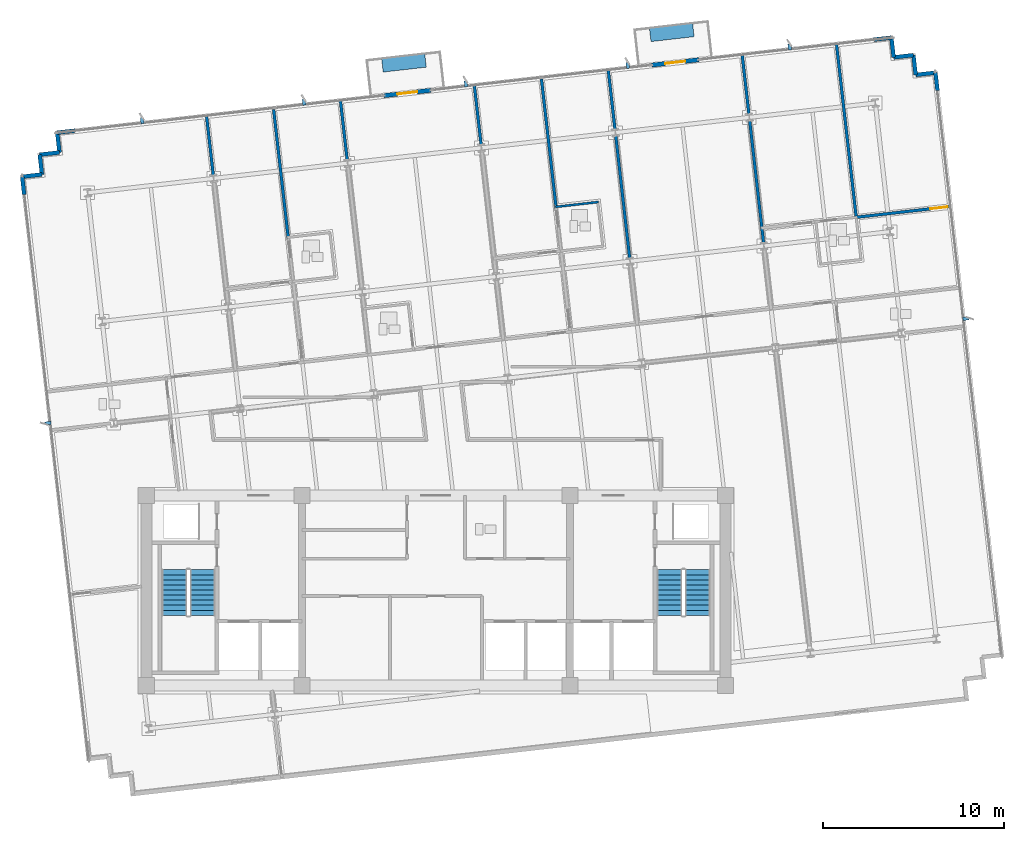
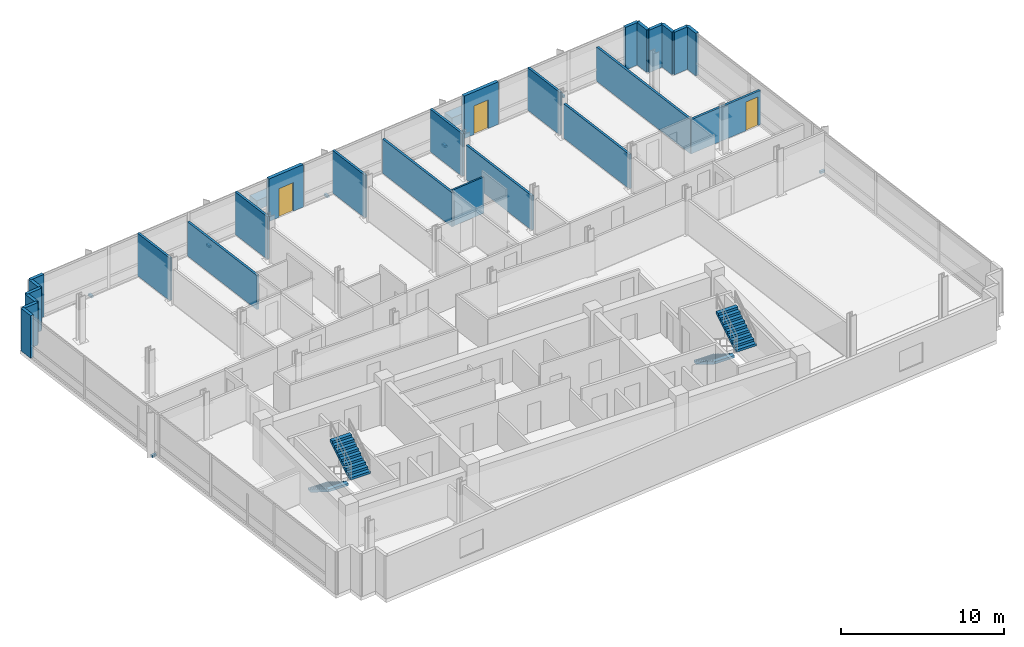
# One storey, part 11 of 16: 26 walls, 9 discrete accessories, 4 stair flights, 3 doors, 3 openings, 2 elements without a shape of their own.
"""IFC4 building model written with IfcOpenShell, lengths in metres."""

import ifcopenshell
import ifcopenshell.guid

model = None  # the IFC model being written
_history = None  # IfcOwnerHistory: only IFC2X3 demands one
_inside = {}  # id of a spatial element -> (the spatial element, [elements in it])
_under = {}  # id of a project, library or spatial element -> (it, [spatial elements below it])
_declared = {}  # id of a project -> (the project, [libraries it declares])
_typed = {}  # id of a type object -> (the type object, [elements of that type])
_made_of = {}  # id of a material, layer set ... -> (it, [elements and type objects made of it])


def new_model(schema):
    """Start an empty IFC model of exactly this schema.

    Asked for "IFC4X3", IfcOpenShell would pick the latest addendum, in which some entities
    have other attributes; the version numbers below select the first issue.
    IFC2X3 requires an IfcOwnerHistory on every rooted entity: one is made here for all.
    """
    global model, _history
    if schema == "IFC4X3":
        model = ifcopenshell.file(schema_version=(4, 3, 0, 0))
    else:
        model = ifcopenshell.file(schema=schema)
    _inside.clear()
    _under.clear()
    _declared.clear()
    _typed.clear()
    _made_of.clear()
    _history = None
    if model.schema == "IFC2X3":
        org = make("IfcOrganization", Name="unknown")
        user = make(
            "IfcPersonAndOrganization",
            ThePerson=make("IfcPerson", FamilyName="unknown"),
            TheOrganization=org,
        )
        app = make(
            "IfcApplication",
            ApplicationDeveloper=org,
            Version="unknown",
            ApplicationFullName="unknown",
            ApplicationIdentifier="unknown",
        )
        _history = make(
            "IfcOwnerHistory",
            OwningUser=user,
            OwningApplication=app,
            ChangeAction="ADDED",
            CreationDate=0,
        )
    return model


def make(cls, **values):
    """One entity of the class cls with the attributes given. An attribute that is None is left unset."""
    return model.create_entity(
        cls, **{name: value for name, value in values.items() if value is not None}
    )


def rooted(cls, **values):
    """An entity with a GlobalId (a new one), such as an element, a storey or a relation."""
    return make(cls, GlobalId=ifcopenshell.guid.new(), OwnerHistory=_history, **values)


def si_unit(unit_type, name, prefix=None):
    """IfcSIUnit, for example si_unit("LENGTHUNIT", "METRE", prefix="MILLI")."""
    return make("IfcSIUnit", UnitType=unit_type, Prefix=prefix, Name=name)


def assignment(units):
    """IfcUnitAssignment: the units of a project."""
    return None if units is None else make("IfcUnitAssignment", Units=units)


def point(xyz):
    """IfcCartesianPoint."""
    return None if xyz is None else make("IfcCartesianPoint", Coordinates=xyz)


def direction(xyz):
    """IfcDirection."""
    return None if xyz is None else make("IfcDirection", DirectionRatios=xyz)


def frame(location, z_axis=None, x_axis=None):
    """IfcAxis2Placement3D, a coordinate frame: its origin and axes. An axis left out is left unset."""
    return make(
        "IfcAxis2Placement3D",
        Location=point(location),
        Axis=direction(z_axis),
        RefDirection=direction(x_axis),
    )


def frame_2d(location, x_axis=None):
    """IfcAxis2Placement2D, a coordinate frame in the plane: its origin and x axis."""
    return make(
        "IfcAxis2Placement2D", Location=point(location), RefDirection=direction(x_axis)
    )


def origin():
    """The frame at (0, 0, 0) with its axes left unset."""
    return frame((0.0, 0.0, 0.0))


def origin_2d():
    """The frame at (0, 0) in the plane with its x axis left unset."""
    return frame_2d((0.0, 0.0))


def place(relative_to, where):
    """IfcLocalPlacement: puts the frame where relative to a parent placement (None: the world)."""
    return make(
        "IfcLocalPlacement", PlacementRelTo=relative_to, RelativePlacement=where
    )


def context(
    kind, dimensions, precision=None, world=None, true_north=None, identifier=None
):
    """IfcGeometricRepresentationContext, for example the 3D "Model" context."""
    return make(
        "IfcGeometricRepresentationContext",
        ContextIdentifier=identifier,
        ContextType=kind,
        CoordinateSpaceDimension=dimensions,
        Precision=precision,
        WorldCoordinateSystem=world,
        TrueNorth=true_north,
    )


def subcontext(parent, identifier, kind, view, scale=None):
    """IfcGeometricRepresentationSubContext, for example "Body" below "Model"."""
    return make(
        "IfcGeometricRepresentationSubContext",
        ContextIdentifier=identifier,
        ContextType=kind,
        ParentContext=parent,
        TargetScale=scale,
        TargetView=view,
    )


def project(units=None, contexts=None):
    """IfcProject with its units and contexts."""
    return rooted(
        "IfcProject",
        Name="project",
        RepresentationContexts=contexts,
        UnitsInContext=assignment(units),
    )


def spatial(cls, under=None, at=None, **own):
    """A site, building, storey or space (cls), placed at a placement, below another one or the project."""
    s = rooted(cls, ObjectPlacement=at, **own)
    if under is not None:
        _under.setdefault(under.id(), (under, []))[1].append(s)
    return s


def polyline(points):
    """IfcPolyline through the points."""
    return make("IfcPolyline", Points=[point(p) for p in points])


def profile(cls, at=None, kind="AREA", **sizes):
    """A parametric profile (cls). Its sizes go by their IFC names, for example OverallWidth=200.0."""
    return make(cls, ProfileType=kind, Position=at, **sizes)


def rectangle(**sizes):
    """IfcRectangleProfileDef."""
    return profile("IfcRectangleProfileDef", **sizes)


def outline(outer, holes=None, kind="AREA"):
    """IfcArbitraryClosedProfileDef: a profile drawn as a closed curve; with holes, ...WithVoids."""
    if holes is None:
        return make("IfcArbitraryClosedProfileDef", ProfileType=kind, OuterCurve=outer)
    return make(
        "IfcArbitraryProfileDefWithVoids",
        ProfileType=kind,
        OuterCurve=outer,
        InnerCurves=holes,
    )


def extrude(swept, where, along, depth):
    """IfcExtrudedAreaSolid: the profile swept, set in the frame where, extruded along a direction by depth."""
    return make(
        "IfcExtrudedAreaSolid",
        SweptArea=swept,
        Position=where,
        ExtrudedDirection=direction(along),
        Depth=depth,
    )


def shape(context_of_items, identifier, shape_type, items):
    """IfcShapeRepresentation: the items that make up one representation, for example the "Body"."""
    return make(
        "IfcShapeRepresentation",
        ContextOfItems=context_of_items,
        RepresentationIdentifier=identifier,
        RepresentationType=shape_type,
        Items=items,
    )


def material(Name=None, Category=None):
    """IfcMaterial."""
    return make("IfcMaterial", Name=Name, Category=Category)


def layer(
    of_material, thickness, ventilated=None, Name=None, Category=None, Priority=None
):
    """IfcMaterialLayer: one layer of a wall or slab, of a material (None: an air gap)."""
    return make(
        "IfcMaterialLayer",
        Material=of_material,
        LayerThickness=thickness,
        IsVentilated=ventilated,
        Name=Name,
        Category=Category,
        Priority=Priority,
    )


def layer_set(layers, Name=None):
    """IfcMaterialLayerSet."""
    return make("IfcMaterialLayerSet", MaterialLayers=layers, LayerSetName=Name)


def made_of(thing, what):
    """Note that an element or type object is made of a material, layer set ...; save() writes the relation."""
    if what is not None:
        _made_of.setdefault(what.id(), (what, []))[1].append(thing)
    return thing


def type_object(cls, material=None, **own):
    """A type object (cls), such as IfcWallType, which elements share."""
    return made_of(rooted(cls, **own), material)


def element(
    cls,
    number,
    at=None,
    inside=None,
    cuts=None,
    type_object=None,
    material=None,
    context=None,
    identifier="Body",
    shape_type=None,
    held_by="IfcProductDefinitionShape",
    body=None,
    shapes=None,
    **own,
):
    """One element of the class cls, such as IfcWall. Its Tag is "e" and its number.

    at: its placement. inside: the storey or other place that contains it. cuts: it is an
    opening in that element (IfcRelVoidsElement). A single representation is given by context,
    identifier, shape_type and body (its items); several are given by shapes. held_by: the class
    of the entity that holds the representations. save() writes the other relations.
    """
    e = rooted(cls, Tag="e%d" % number, ObjectPlacement=at, **own)
    if body is not None:
        shapes = [shape(context, identifier, shape_type, body)]
    if shapes is not None:
        e.Representation = make(held_by, Representations=shapes)
    if inside is not None:
        _inside.setdefault(inside.id(), (inside, []))[1].append(e)
    if cuts is not None:
        rooted(
            "IfcRelVoidsElement", RelatingBuildingElement=cuts, RelatedOpeningElement=e
        )
    if type_object is not None:
        _typed.setdefault(type_object.id(), (type_object, []))[1].append(e)
    return made_of(e, material)


def fill(opening, filler):
    """IfcRelFillsElement: the door or window that sits in an opening."""
    return rooted(
        "IfcRelFillsElement",
        RelatingOpeningElement=opening,
        RelatedBuildingElement=filler,
    )


def aggregate(whole, parts):
    """IfcRelAggregates: a whole, such as a stair, and the parts it consists of."""
    return rooted("IfcRelAggregates", RelatingObject=whole, RelatedObjects=parts)


def save(model, path):
    """Write the relations noted so far, then the file.

    IfcRelAggregates (storeys below a building ...), IfcRelContainedInSpatialStructure (elements
    in a storey), IfcRelDefinesByType, IfcRelAssociatesMaterial and IfcRelDeclares: one each for
    every whole, place, type object, material and project.
    """
    for whole, parts in _under.values():
        aggregate(whole, parts)
    for where, things in _inside.values():
        rooted(
            "IfcRelContainedInSpatialStructure",
            RelatedElements=things,
            RelatingStructure=where,
        )
    for kind, things in _typed.values():
        rooted("IfcRelDefinesByType", RelatedObjects=things, RelatingType=kind)
    for what, things in _made_of.values():
        rooted("IfcRelAssociatesMaterial", RelatedObjects=things, RelatingMaterial=what)
    for by, libraries in _declared.values():
        rooted("IfcRelDeclares", RelatingContext=by, RelatedDefinitions=libraries)
    model.write(path)


model = new_model("IFC4")

# Units and contexts
model_context = context("Model", 3, precision=1e-05, world=origin(), true_north=direction((0.0, 1.0)))
body_context = subcontext(model_context, "Body", "Model", "MODEL_VIEW")
ifc_project = project(units=[si_unit("LENGTHUNIT", "METRE"), si_unit("AREAUNIT", "SQUARE_METRE"), si_unit("VOLUMEUNIT", "CUBIC_METRE"), si_unit("PLANEANGLEUNIT", "RADIAN"), si_unit("MASSUNIT", "GRAM", prefix="KILO")], contexts=[model_context])

# Site, building, storey
site_placement = place(None, origin())
site = spatial("IfcSite", under=ifc_project, at=site_placement, CompositionType="ELEMENT")
building_placement = place(site_placement, origin())
building = spatial("IfcBuilding", under=site, at=building_placement, Name="Solmavex Isthmus Hotel", CompositionType="ELEMENT")
storey_placement = place(building_placement, frame((0.0, 0.0, 212.39990234375)))
storey = spatial("IfcBuildingStorey", under=building, at=storey_placement, Name="L57", CompositionType="ELEMENT", Elevation=212.39990234375)

# Wall, opening, door
ifc_material_1 = material(Name="Precast Concrete C40/50", Category="concrete")
ifc_layer_1 = layer(ifc_material_1, 0.25)
ifc_layer_set_1 = layer_set([ifc_layer_1], Name="Precast Concrete C40/50")
wall_type_1 = type_object("IfcWallType", Name="EW-TWR-250", PredefinedType="STANDARD", material=ifc_layer_set_1)
wall_1_placement = place(storey_placement, frame((-2.871337890625, 19.59326171875, 0.0), z_axis=(0.0, 0.0, 1.0), x_axis=(0.993577691497, 0.113151981689, 0.0)))
wall_1 = element("IfcWall", 1, at=wall_1_placement, inside=storey, type_object=wall_type_1, Name="Exterior Balcony Door Wall L57-2", PredefinedType="STANDARD", context=body_context, shape_type="SweptSolid", body=[
    extrude(rectangle(XDim=2.599853515625, YDim=0.239990234375, at=frame_2d((1.2998046875, 0.0))), origin(), (0.0, 0.0, 1.0), 3.190185546875),
])
opening_1_placement = place(wall_1_placement, frame((0.75, 0.0, 0.0)))
opening_1 = element("IfcOpeningElement", 2, at=opening_1_placement, cuts=wall_1, Name="Opening ED-02", PredefinedType="OPENING", context=body_context, shape_type="SweptSolid", body=[
    extrude(rectangle(XDim=1.10009765625, YDim=2.14990234375, at=frame_2d((0.550048828125, 1.074951171875))), frame((0.0, 0.1298828125, 0.0), z_axis=(0.0, -1.0, 0.0), x_axis=(1.0, 0.0, 0.0)), (0.0, 0.0, 1.0), 0.260009765625),
])
ifc_material_2 = material(Name="Aluminium alloy 6063-T6", Category="aluminium")
door_type_1 = type_object("IfcDoorType", Name="EDR-BALC-1100", OperationType="NOTDEFINED", PredefinedType="DOOR", material=ifc_material_2)
door_1_placement = place(opening_1_placement, origin())
door_1 = element("IfcDoor", 3, at=door_1_placement, inside=storey, type_object=door_type_1, Name="Balcony & Terrace Glazed Door L57-2", OperationType="SINGLE_SWING_RIGHT", OverallHeight=2.14990234375, OverallWidth=1.10009765625, PredefinedType="DOOR", context=body_context, shape_type="SweptSolid", body=[
    extrude(rectangle(XDim=1.10009765625, YDim=2.14990234375, at=frame_2d((0.550048828125, 1.074951171875))), frame((0.0, 0.02490234375, 0.0), z_axis=(0.0, -1.0, 0.0), x_axis=(1.0, 0.0, 0.0)), (0.0, 0.0, 1.0), 0.050048828125),
])
fill(opening_1, door_1)

wall_2_placement = place(storey_placement, frame((11.9248046875, 21.279052734375, 0.0), z_axis=(0.0, 0.0, 1.0), x_axis=(0.993567130319, 0.113244680008, 0.0)))
wall_2 = element("IfcWall", 4, at=wall_2_placement, inside=storey, type_object=wall_type_1, Name="Exterior Balcony Door Wall L57-3", PredefinedType="STANDARD", context=body_context, shape_type="SweptSolid", body=[
    extrude(rectangle(XDim=2.60009765625, YDim=0.239990234375, at=frame_2d((1.300048828125, 0.0))), origin(), (0.0, 0.0, 1.0), 3.190185546875),
])
opening_2_placement = place(wall_2_placement, frame((0.75, 0.0, 0.0)))
opening_2 = element("IfcOpeningElement", 5, at=opening_2_placement, cuts=wall_2, Name="Opening ED-02", PredefinedType="OPENING", context=body_context, shape_type="SweptSolid", body=[
    extrude(rectangle(XDim=1.10009765625, YDim=2.14990234375, at=frame_2d((0.550048828125, 1.074951171875))), frame((0.0, 0.1298828125, 0.0), z_axis=(0.0, -1.0, 0.0), x_axis=(1.0, 0.0, 0.0)), (0.0, 0.0, 1.0), 0.260009765625),
])
door_2_placement = place(opening_2_placement, origin())
door_2 = element("IfcDoor", 6, at=door_2_placement, inside=storey, type_object=door_type_1, Name="Balcony & Terrace Glazed Door L57-3", OperationType="SINGLE_SWING_LEFT", OverallHeight=2.14990234375, OverallWidth=1.10009765625, PredefinedType="DOOR", context=body_context, shape_type="SweptSolid", body=[
    extrude(rectangle(XDim=1.10009765625, YDim=2.14990234375, at=frame_2d((0.550048828125, 1.074951171875))), frame((0.0, 0.02490234375, 0.0), z_axis=(0.0, -1.0, 0.0), x_axis=(1.0, 0.0, 0.0)), (0.0, 0.0, 1.0), 0.050048828125),
])
fill(opening_2, door_2)

# Walls
wall_3_placement = place(storey_placement, frame((-22.74755859375, 14.128173828125, 0.0), z_axis=(0.0, 0.0, 1.0), x_axis=(-0.113191877531, 0.993573147212, 0.0)))
element("IfcWall", 7, at=wall_3_placement, inside=storey, type_object=wall_type_1, Name="Serrated Corner Facade Panel L57-07", PredefinedType="STANDARD", context=body_context, shape_type="SweptSolid", body=[
    extrude(rectangle(XDim=0.989990234375, YDim=0.219970703125, at=frame_2d((0.4951171875, 0.0))), origin(), (0.0, 0.0, 1.0), 3.190185546875),
])
wall_4_placement = place(storey_placement, frame((-22.859619140625, 15.11181640625, 0.0), z_axis=(0.0, 0.0, 1.0), x_axis=(0.99357409499, 0.113183557839, 0.0)))
element("IfcWall", 8, at=wall_4_placement, inside=storey, type_object=wall_type_1, Name="Serrated Corner Facade Panel L57-08", PredefinedType="STANDARD", context=body_context, shape_type="SweptSolid", body=[
    extrude(rectangle(XDim=1.10009765625, YDim=0.219970703125, at=frame_2d((0.550048828125, 0.0))), origin(), (0.0, 0.0, 1.0), 3.190185546875),
])
wall_5_placement = place(storey_placement, frame((-21.7666015625, 15.236328125, 0.0), z_axis=(0.0, 0.0, 1.0), x_axis=(-0.11320852056, 0.99357125103, 0.0)))
element("IfcWall", 9, at=wall_5_placement, inside=storey, type_object=wall_type_1, Name="Serrated Corner Facade Panel L57-09", PredefinedType="STANDARD", context=body_context, shape_type="SweptSolid", body=[
    extrude(rectangle(XDim=1.099853515625, YDim=0.219970703125, at=frame_2d((0.5498046875, 0.0))), origin(), (0.0, 0.0, 1.0), 3.190185546875),
])
for number, where, z_axis, x_axis, name in (
    (10, (-21.89111328125, 16.3291015625, 0.0), (0.0, 0.0, 1.0), (0.99357409499, 0.113183557839, 0.0), "Serrated Corner Facade Panel L57-10"),
    (11, (-20.798095703125, 16.45361328125, 0.0), (0.0, 0.0, 1.0), (-0.113402635104, 0.993549114212, 0.0), "Serrated Corner Facade Panel L57-11"),
):
    element("IfcWall", number, at=place(storey_placement, frame(where, z_axis=z_axis, x_axis=x_axis)), inside=storey, type_object=wall_type_1, Name=name, PredefinedType="STANDARD", context=body_context, shape_type="SweptSolid", body=[
        extrude(rectangle(XDim=1.10009765625, YDim=0.219970703125, at=frame_2d((0.550048828125, 0.0))), origin(), (0.0, 0.0, 1.0), 3.190185546875),
    ])
for number, where, z_axis, x_axis, name in (
    (12, (-20.9228515625, 17.546630859375, 0.0), (0.0, 0.0, 1.0), (0.993573147212, 0.113191877531, 0.0), "Serrated Corner Facade Panel L57-12"),
    (13, (24.175537109375, 22.684814453125, 0.0), (0.0, 0.0, 1.0), (0.993573147212, 0.113191877531, 0.0), "Serrated Corner Facade Panel L57-14"),
):
    element("IfcWall", number, at=place(storey_placement, frame(where, z_axis=z_axis, x_axis=x_axis)), inside=storey, type_object=wall_type_1, Name=name, PredefinedType="STANDARD", context=body_context, shape_type="SweptSolid", body=[
        extrude(rectangle(XDim=0.989990234375, YDim=0.219970703125, at=frame_2d((0.4951171875, 0.0))), origin(), (0.0, 0.0, 1.0), 3.190185546875),
    ])
for number, where, z_axis, x_axis, name in (
    (14, (25.1591796875, 22.796875, 0.0), (0.0, 0.0, 1.0), (0.11320852056, -0.99357125103, 0.0), "Serrated Corner Facade Panel L57-15"),
    (15, (25.28369140625, 21.7041015625, 0.0), (0.0, 0.0, 1.0), (0.99357125103, 0.11320852056, 0.0), "Serrated Corner Facade Panel L57-16"),
):
    element("IfcWall", number, at=place(storey_placement, frame(where, z_axis=z_axis, x_axis=x_axis)), inside=storey, type_object=wall_type_1, Name=name, PredefinedType="STANDARD", context=body_context, shape_type="SweptSolid", body=[
        extrude(rectangle(XDim=1.099853515625, YDim=0.219970703125, at=frame_2d((0.5498046875, 0.0))), origin(), (0.0, 0.0, 1.0), 3.190185546875),
    ])
wall_6_placement = place(storey_placement, frame((26.37646484375, 21.82861328125, 0.0), z_axis=(0.0, 0.0, 1.0), x_axis=(0.113402635104, -0.993549114212, 0.0)))
element("IfcWall", 16, at=wall_6_placement, inside=storey, type_object=wall_type_1, Name="Serrated Corner Facade Panel L57-17", PredefinedType="STANDARD", context=body_context, shape_type="SweptSolid", body=[
    extrude(rectangle(XDim=1.10009765625, YDim=0.219970703125, at=frame_2d((0.550048828125, 0.0))), origin(), (0.0, 0.0, 1.0), 3.190185546875),
])
wall_7_placement = place(storey_placement, frame((26.501220703125, 20.735595703125, 0.0), z_axis=(0.0, 0.0, 1.0), x_axis=(0.99357125103, 0.11320852056, 0.0)))
element("IfcWall", 17, at=wall_7_placement, inside=storey, type_object=wall_type_1, Name="Serrated Corner Facade Panel L57-18", PredefinedType="STANDARD", context=body_context, shape_type="SweptSolid", body=[
    extrude(rectangle(XDim=1.099853515625, YDim=0.219970703125, at=frame_2d((0.5498046875, 0.0))), origin(), (0.0, 0.0, 1.0), 3.190185546875),
])
wall_8_placement = place(storey_placement, frame((27.593994140625, 20.860107421875, 0.0), z_axis=(0.0, 0.0, 1.0), x_axis=(0.113191877531, -0.993573147212, 0.0)))
element("IfcWall", 18, at=wall_8_placement, inside=storey, type_object=wall_type_1, Name="Serrated Corner Facade Panel L57-19", PredefinedType="STANDARD", context=body_context, shape_type="SweptSolid", body=[
    extrude(rectangle(XDim=0.989990234375, YDim=0.219970703125, at=frame_2d((0.4951171875, 0.0))), origin(), (0.0, 0.0, 1.0), 3.190185546875),
])
ifc_material_3 = material(Name="Gypsum plasterboard lining", Category="gypsum")
ifc_layer_2 = layer(ifc_material_3, 0.159912109375)
ifc_layer_set_2 = layer_set([ifc_layer_2], Name="Gypsum plasterboard lining")
wall_type_2 = type_object("IfcWallType", Name="IW-COMP-160", PredefinedType="PARTITIONING", material=ifc_layer_set_2)
wall_9_placement = place(storey_placement, frame((-12.681396484375, 18.515869140625, 0.0), z_axis=(0.0, 0.0, 1.0), x_axis=(0.113171804991, -0.993575433752, 0.0)))
element("IfcWall", 19, at=wall_9_placement, inside=storey, type_object=wall_type_2, Name="Interior Partition Wall W-L57-P028", PredefinedType="PARTITIONING", context=body_context, shape_type="SweptSolid", body=[
    extrude(rectangle(XDim=3.34375, YDim=0.159912109375, at=frame_2d((1.671875, 0.0))), origin(), (0.0, 0.0, 1.0), 3.190185546875),
])
wall_10_placement = place(storey_placement, frame((-8.96875, 18.81787109375, 0.0), z_axis=(0.0, 0.0, 1.0), x_axis=(0.113202494332, -0.993571937646, 0.0)))
element("IfcWall", 20, at=wall_10_placement, inside=storey, type_object=wall_type_2, Name="Interior Partition Wall W-L57-P032", PredefinedType="PARTITIONING", context=body_context, shape_type="SweptSolid", body=[
    extrude(rectangle(XDim=7.183837890625, YDim=0.159912109375, at=frame_2d((3.591796875, 0.0))), origin(), (0.0, 0.0, 1.0), 2.5576171875),
])
wall_11_placement = place(storey_placement, frame((-5.283447265625, 19.358642578125, 0.0), z_axis=(0.0, 0.0, 1.0), x_axis=(0.113252098743, -0.993566284719, 0.0)))
element("IfcWall", 21, at=wall_11_placement, inside=storey, type_object=wall_type_2, Name="Interior Partition Wall W-L57-P037", PredefinedType="PARTITIONING", context=body_context, shape_type="SweptSolid", body=[
    extrude(rectangle(XDim=3.343505859375, YDim=0.159912109375, at=frame_2d((1.671875, 0.0))), origin(), (0.0, 0.0, 1.0), 3.190185546875),
])
wall_12_placement = place(storey_placement, frame((2.11474609375, 20.20166015625, 0.0), z_axis=(0.0, 0.0, 1.0), x_axis=(0.113243883011, -0.993567221158, 0.0)))
element("IfcWall", 22, at=wall_12_placement, inside=storey, type_object=wall_type_2, Name="Interior Partition Wall W-L57-P044", PredefinedType="PARTITIONING", context=body_context, shape_type="SweptSolid", body=[
    extrude(rectangle(XDim=3.34375, YDim=0.159912109375, at=frame_2d((1.671875, 0.0))), origin(), (0.0, 0.0, 1.0), 3.190185546875),
])
wall_13_placement = place(storey_placement, frame((5.827392578125, 20.50390625, 0.0), z_axis=(0.0, 0.0, 1.0), x_axis=(0.113198672056, -0.993572373129, 0.0)))
element("IfcWall", 23, at=wall_13_placement, inside=storey, type_object=wall_type_2, Name="Interior Partition Wall W-L57-P047", PredefinedType="PARTITIONING", context=body_context, shape_type="SweptSolid", body=[
    extrude(rectangle(XDim=7.18408203125, YDim=0.159912109375, at=frame_2d((3.592041015625, 0.0))), origin(), (0.0, 0.0, 1.0), 2.5576171875),
])
wall_14_placement = place(storey_placement, frame((9.512939453125, 21.04443359375, 0.0), z_axis=(0.0, 0.0, 1.0), x_axis=(0.113180015629, -0.993574498496, 0.0)))
element("IfcWall", 24, at=wall_14_placement, inside=storey, type_object=wall_type_2, Name="Interior Partition Wall W-L57-P052", PredefinedType="PARTITIONING", context=body_context, shape_type="SweptSolid", body=[
    extrude(rectangle(XDim=3.343505859375, YDim=0.159912109375, at=frame_2d((1.671875, 0.0))), origin(), (0.0, 0.0, 1.0), 3.190185546875),
])
wall_15_placement = place(storey_placement, frame((9.931396484375, 17.371826171875, 0.0), z_axis=(0.0, 0.0, 1.0), x_axis=(0.113217453743, -0.993570233133, 0.0)))
element("IfcWall", 25, at=wall_15_placement, inside=storey, type_object=wall_type_2, Name="Interior Partition Wall W-L57-P053", PredefinedType="PARTITIONING", context=body_context, shape_type="SweptSolid", body=[
    extrude(rectangle(XDim=6.799072265625, YDim=0.159912109375, at=frame_2d((3.3994140625, 0.0))), origin(), (0.0, 0.0, 1.0), 2.572509765625),
])
wall_16_placement = place(storey_placement, frame((17.32958984375, 18.21484375, 0.0), z_axis=(0.0, 0.0, 1.0), x_axis=(0.113177968069, -0.993574731736, 0.0)))
element("IfcWall", 26, at=wall_16_placement, inside=storey, type_object=wall_type_2, Name="Interior Partition Wall W-L57-P055", PredefinedType="PARTITIONING", context=body_context, shape_type="SweptSolid", body=[
    extrude(rectangle(XDim=6.79931640625, YDim=0.159912109375, at=frame_2d((3.399658203125, 0.0))), origin(), (0.0, 0.0, 1.0), 2.572509765625),
])
wall_17_placement = place(storey_placement, frame((16.9111328125, 21.887451171875, 0.0), z_axis=(0.0, 0.0, 1.0), x_axis=(0.113171804991, -0.993575433752, 0.0)))
element("IfcWall", 27, at=wall_17_placement, inside=storey, type_object=wall_type_2, Name="Interior Partition Wall W-L57-P057", PredefinedType="PARTITIONING", context=body_context, shape_type="SweptSolid", body=[
    extrude(rectangle(XDim=3.34375, YDim=0.159912109375, at=frame_2d((1.671875, 0.0))), origin(), (0.0, 0.0, 1.0), 3.190185546875),
])

# Wall, opening, door
wall_18_placement = place(storey_placement, frame((23.176513671875, 12.86669921875, 0.0), z_axis=(0.0, 0.0, 1.0), x_axis=(0.993570013337, 0.113219382606, 0.0)))
wall_18 = element("IfcWall", 28, at=wall_18_placement, inside=storey, type_object=wall_type_2, Name="Interior Partition Wall W-L57-P059", PredefinedType="PARTITIONING", context=body_context, shape_type="SweptSolid", body=[
    extrude(rectangle(XDim=5.323974609375, YDim=0.159912109375, at=frame_2d((2.662109375, 0.0))), origin(), (0.0, 0.0, 1.0), 2.5576171875),
])
opening_3_placement = place(wall_18_placement, frame((4.1640625, 0.0, 0.0)))
opening_3 = element("IfcOpeningElement", 29, at=opening_3_placement, cuts=wall_18, Name="Opening ID-C095", PredefinedType="OPENING", context=body_context, shape_type="SweptSolid", body=[
    extrude(rectangle(XDim=0.949951171875, YDim=2.14990234375, at=frame_2d((0.47509765625, 1.074951171875))), frame((0.0, 0.08984375, 0.0), z_axis=(0.0, -1.0, 0.0), x_axis=(1.0, 0.0, 0.0)), (0.0, 0.0, 1.0), 0.179931640625),
])
ifc_material_4 = material(Name="Hardwood timber", Category="wood")
door_type_2 = type_object("IfcDoorType", Name="IDR-FD60-0950", OperationType="NOTDEFINED", PredefinedType="DOOR", material=ifc_material_4)
door_3_placement = place(opening_3_placement, origin())
door_3 = element("IfcDoor", 30, at=door_3_placement, inside=storey, type_object=door_type_2, Name="Diplomatic Hospitality Suite Sitting Lounge Door L57-15", OperationType="SINGLE_SWING_LEFT", OverallHeight=2.14990234375, OverallWidth=0.949951171875, PredefinedType="DOOR", context=body_context, shape_type="SweptSolid", body=[
    extrude(rectangle(XDim=0.949951171875, YDim=2.14990234375, at=frame_2d((0.47509765625, 1.074951171875))), frame((0.0, 0.02490234375, 0.0), z_axis=(0.0, -1.0, 0.0), x_axis=(1.0, 0.0, 0.0)), (0.0, 0.0, 1.0), 0.050048828125),
])
fill(opening_3, door_3)

# Walls
wall_19_placement = place(storey_placement, frame((22.121337890625, 22.48095703125, 0.0), z_axis=(0.0, 0.0, 1.0), x_axis=(0.113198474286, -0.993572395661, 0.0)))
element("IfcWall", 31, at=wall_19_placement, inside=storey, type_object=wall_type_2, Name="Interior Partition Wall W-L57-P064", PredefinedType="PARTITIONING", context=body_context, shape_type="SweptSolid", body=[
    extrude(rectangle(XDim=9.7119140625, YDim=0.159912109375, at=frame_2d((4.85595703125, 0.0))), origin(), (0.0, 0.0, 1.0), 2.5576171875),
])
ifc_layer_3 = layer(ifc_material_3, 0.1201171875)
ifc_layer_set_3 = layer_set([ifc_layer_3], Name="Gypsum plasterboard lining")
wall_type_3 = type_object("IfcWallType", Name="IW-PART-120", PredefinedType="PARTITIONING", material=ifc_layer_set_3)
wall_20_placement = place(storey_placement, frame((8.979248046875, 13.715087890625, 0.0), z_axis=(0.0, 0.0, 1.0), x_axis=(-0.993562439402, -0.11328582881, 0.0)))
element("IfcWall", 32, at=wall_20_placement, inside=storey, type_object=wall_type_3, Name="Interior Partition Wall W-L57-P051", PredefinedType="PARTITIONING", context=body_context, shape_type="SweptSolid", body=[
    extrude(rectangle(XDim=2.40283203125, YDim=0.1201171875, at=frame_2d((1.201416015625, 0.0))), origin(), (0.0, 0.0, 1.0), 2.71826171875),
])

# Stair, stair flights
ifc_material_5 = material(Name="Concrete C40/50", Category="concrete")
stair_type_1 = type_object("IfcStairType", Name="STR-ST-1", PredefinedType="HALF_TURN_STAIR", material=ifc_material_5)
stair_1_placement = place(storey_placement, origin())
stair_1 = element("IfcStair", 33, at=stair_1_placement, inside=storey, type_object=stair_type_1, Name="L57 Protected Exit Stair ST-1", PredefinedType="HALF_TURN_STAIR")
stair_flight_type_1 = type_object("IfcStairFlightType", Name="SFL-ST-1", PredefinedType="STRAIGHT", material=ifc_material_5)
stair_flight_1_placement = place(storey_placement, frame((-14.449951171875, -6.60009765625, 0.0), z_axis=(0.0, 0.0, 1.0), x_axis=(0.0, -1.0, 0.0)))
stair_flight_1 = element("IfcStairFlight", 34, at=stair_flight_1_placement, type_object=stair_flight_type_1, Name="ST-1 flight 1", NumberOfRisers=10, NumberOfTreads=9, PredefinedType="STRAIGHT", RiserHeight=0.1725, TreadLength=0.28, context=body_context, shape_type="SweptSolid", body=[
    extrude(outline(polyline([(0.0, 0.0), (0.0, 0.172607421875), (0.280029296875, 0.172607421875), (0.280029296875, 0.344970703125), (0.56005859375, 0.344970703125), (0.56005859375, 0.517578125), (0.840087890625, 0.517578125), (0.840087890625, 0.68994140625), (1.1201171875, 0.68994140625), (1.1201171875, 0.862548828125), (1.39990234375, 0.862548828125), (1.39990234375, 1.034912109375), (1.679931640625, 1.034912109375), (1.679931640625, 1.20751953125), (1.9599609375, 1.20751953125), (1.9599609375, 1.3798828125), (2.239990234375, 1.3798828125), (2.239990234375, 1.552490234375), (2.52001953125, 1.552490234375), (2.52001953125, 1.72509765625), (2.52001953125, 1.37646484375), (0.285888671875, 0.0), (0.0, 0.0)])), frame((0.0, 0.699951171875, 0.0), z_axis=(0.0, -1.0, 0.0), x_axis=(1.0, 0.0, 0.0)), (0.0, 0.0, 1.0), 1.39990234375),
])
stair_flight_2_placement = place(storey_placement, frame((-12.89990234375, -9.1201171875, 1.72509765625), z_axis=(0.0, 0.0, 1.0), x_axis=(0.0, 1.0, 0.0)))
stair_flight_2 = element("IfcStairFlight", 35, at=stair_flight_2_placement, type_object=stair_flight_type_1, Name="ST-1 flight 2", NumberOfRisers=10, NumberOfTreads=9, PredefinedType="STRAIGHT", RiserHeight=0.1725, TreadLength=0.28, context=body_context, shape_type="SweptSolid", body=[
    extrude(outline(polyline([(0.0, 0.0), (0.0, 0.172607421875), (0.280029296875, 0.172607421875), (0.280029296875, 0.344970703125), (0.56005859375, 0.344970703125), (0.56005859375, 0.517578125), (0.840087890625, 0.517578125), (0.840087890625, 0.68994140625), (1.1201171875, 0.68994140625), (1.1201171875, 0.862548828125), (1.39990234375, 0.862548828125), (1.39990234375, 1.034912109375), (1.679931640625, 1.034912109375), (1.679931640625, 1.20751953125), (1.9599609375, 1.20751953125), (1.9599609375, 1.3798828125), (2.239990234375, 1.3798828125), (2.239990234375, 1.552490234375), (2.52001953125, 1.552490234375), (2.52001953125, 1.72509765625), (2.52001953125, 1.37646484375), (0.285888671875, 0.0), (0.0, 0.0)])), frame((0.0, 0.699951171875, 0.0), z_axis=(0.0, -1.0, 0.0), x_axis=(1.0, 0.0, 0.0)), (0.0, 0.0, 1.0), 1.39990234375),
])
aggregate(stair_1, [stair_flight_1, stair_flight_2])

stair_type_2 = type_object("IfcStairType", Name="STR-ST-2", PredefinedType="HALF_TURN_STAIR", material=ifc_material_5)
stair_2_placement = place(storey_placement, origin())
stair_2 = element("IfcStair", 36, at=stair_2_placement, inside=storey, type_object=stair_type_2, Name="L57 Protected Exit Stair ST-2", PredefinedType="HALF_TURN_STAIR")
stair_flight_type_2 = type_object("IfcStairFlightType", Name="SFL-ST-2", PredefinedType="STRAIGHT", material=ifc_material_5)
stair_flight_3_placement = place(storey_placement, frame((12.89990234375, -6.60009765625, 0.0), z_axis=(0.0, 0.0, 1.0), x_axis=(0.0, -1.0, 0.0)))
stair_flight_3 = element("IfcStairFlight", 37, at=stair_flight_3_placement, type_object=stair_flight_type_2, Name="ST-2 flight 1", NumberOfRisers=10, NumberOfTreads=9, PredefinedType="STRAIGHT", RiserHeight=0.1725, TreadLength=0.28, context=body_context, shape_type="SweptSolid", body=[
    extrude(outline(polyline([(0.0, 0.0), (0.0, 0.172607421875), (0.280029296875, 0.172607421875), (0.280029296875, 0.344970703125), (0.56005859375, 0.344970703125), (0.56005859375, 0.517578125), (0.840087890625, 0.517578125), (0.840087890625, 0.68994140625), (1.1201171875, 0.68994140625), (1.1201171875, 0.862548828125), (1.39990234375, 0.862548828125), (1.39990234375, 1.034912109375), (1.679931640625, 1.034912109375), (1.679931640625, 1.20751953125), (1.9599609375, 1.20751953125), (1.9599609375, 1.3798828125), (2.239990234375, 1.3798828125), (2.239990234375, 1.552490234375), (2.52001953125, 1.552490234375), (2.52001953125, 1.72509765625), (2.52001953125, 1.37646484375), (0.285888671875, 0.0), (0.0, 0.0)])), frame((0.0, 0.699951171875, 0.0), z_axis=(0.0, -1.0, 0.0), x_axis=(1.0, 0.0, 0.0)), (0.0, 0.0, 1.0), 1.39990234375),
])
stair_flight_4_placement = place(storey_placement, frame((14.449951171875, -9.1201171875, 1.72509765625), z_axis=(0.0, 0.0, 1.0), x_axis=(0.0, 1.0, 0.0)))
stair_flight_4 = element("IfcStairFlight", 38, at=stair_flight_4_placement, type_object=stair_flight_type_2, Name="ST-2 flight 2", NumberOfRisers=10, NumberOfTreads=9, PredefinedType="STRAIGHT", RiserHeight=0.1725, TreadLength=0.28, context=body_context, shape_type="SweptSolid", body=[
    extrude(outline(polyline([(0.0, 0.0), (0.0, 0.172607421875), (0.280029296875, 0.172607421875), (0.280029296875, 0.344970703125), (0.56005859375, 0.344970703125), (0.56005859375, 0.517578125), (0.840087890625, 0.517578125), (0.840087890625, 0.68994140625), (1.1201171875, 0.68994140625), (1.1201171875, 0.862548828125), (1.39990234375, 0.862548828125), (1.39990234375, 1.034912109375), (1.679931640625, 1.034912109375), (1.679931640625, 1.20751953125), (1.9599609375, 1.20751953125), (1.9599609375, 1.3798828125), (2.239990234375, 1.3798828125), (2.239990234375, 1.552490234375), (2.52001953125, 1.552490234375), (2.52001953125, 1.72509765625), (2.52001953125, 1.37646484375), (0.285888671875, 0.0), (0.0, 0.0)])), frame((0.0, 0.699951171875, 0.0), z_axis=(0.0, -1.0, 0.0), x_axis=(1.0, 0.0, 0.0)), (0.0, 0.0, 1.0), 1.39990234375),
])
aggregate(stair_2, [stair_flight_3, stair_flight_4])

# Discrete accessories
ifc_material_6 = material(Name="Steel ASTM A572 Grade 50", Category="steel")
discrete_accessory_type_1 = type_object("IfcDiscreteAccessoryType", Name="ACC-BRK-FIN", PredefinedType="BRACKET", material=ifc_material_6)
for number, where, z_axis, x_axis, name in (
    (39, (-16.22802734375, 18.21240234375, -0.169921875), (0.0, 0.0, 1.0), (-0.113203213768, 0.993571855677, 0.0), "Facade Fin Support Bracket L57-N1"),
    (40, (-7.285888671875, 19.231201171875, -0.169921875), (0.0, 0.0, 1.0), (-0.113203213768, 0.993571855677, 0.0), "Facade Fin Support Bracket L57-N2"),
    (41, (1.65625, 20.25, -0.169921875), (0.0, 0.0, 1.0), (-0.113203213768, 0.993571855677, 0.0), "Facade Fin Support Bracket L57-N3"),
    (42, (10.5986328125, 21.268798828125, -0.169921875), (0.0, 0.0, 1.0), (-0.113203213768, 0.993571855677, 0.0), "Facade Fin Support Bracket L57-N4"),
    (43, (19.540771484375, 22.28759765625, -0.169921875), (0.0, 0.0, 1.0), (-0.113203213768, 0.993571855677, 0.0), "Facade Fin Support Bracket L57-N5"),
    (44, (-21.43896484375, 1.494873046875, -0.169921875), (0.0, 0.0, 1.0), (-0.993571855677, -0.113203213768, 0.0), "Facade Fin Support Bracket L57-W1"),
    (45, (29.27294921875, 7.27294921875, -0.169921875), (0.0, 0.0, 1.0), (0.993571855677, 0.113203213768, 0.0), "Facade Fin Support Bracket L57-E1"),
):
    element("IfcDiscreteAccessory", number, at=place(storey_placement, frame(where, z_axis=z_axis, x_axis=x_axis)), inside=storey, type_object=discrete_accessory_type_1, Name=name, PredefinedType="BRACKET", context=body_context, shape_type="SweptSolid", body=[
        extrude(rectangle(XDim=0.340087890625, YDim=0.179931640625, at=origin_2d()), origin(), (0.0, 0.0, 1.0), 0.159912109375),
    ])
discrete_accessory_type_2 = type_object("IfcDiscreteAccessoryType", Name="ACC-PLN-BALC", PredefinedType="USERDEFINED", material=ifc_material_1)
for number, where, z_axis, x_axis, name in (
    (46, (-1.768798828125, 21.399658203125, 0.0), (0.0, 0.0, 1.0), (0.993571855677, 0.113203213768, 0.0), "Tree-Balcony Architectural Planter L57-B1"),
    (47, (13.027587890625, 23.08544921875, 0.0), (0.0, 0.0, 1.0), (0.993571855677, 0.113203213768, 0.0), "Tree-Balcony Architectural Planter L57-B2"),
):
    element("IfcDiscreteAccessory", number, at=place(storey_placement, frame(where, z_axis=z_axis, x_axis=x_axis)), inside=storey, type_object=discrete_accessory_type_2, Name=name, ObjectType="PLANTER", PredefinedType="USERDEFINED", context=body_context, shape_type="SweptSolid", body=[
        extrude(rectangle(XDim=2.39990234375, YDim=0.75, at=origin_2d()), origin(), (0.0, 0.0, 1.0), 0.699951171875),
    ])

save(model, "model.ifc")
